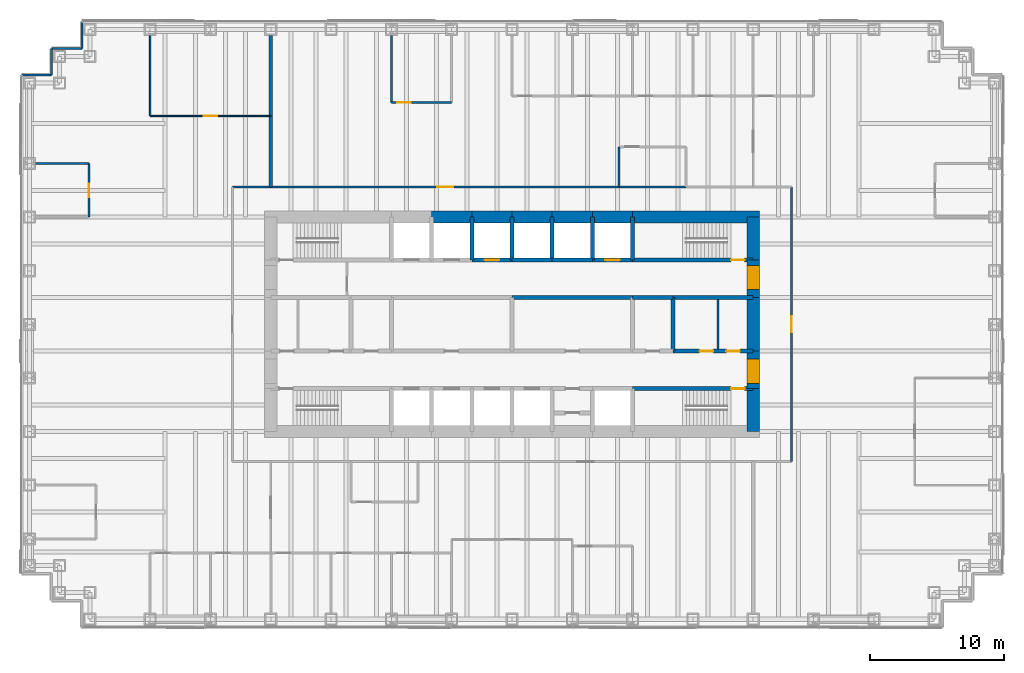
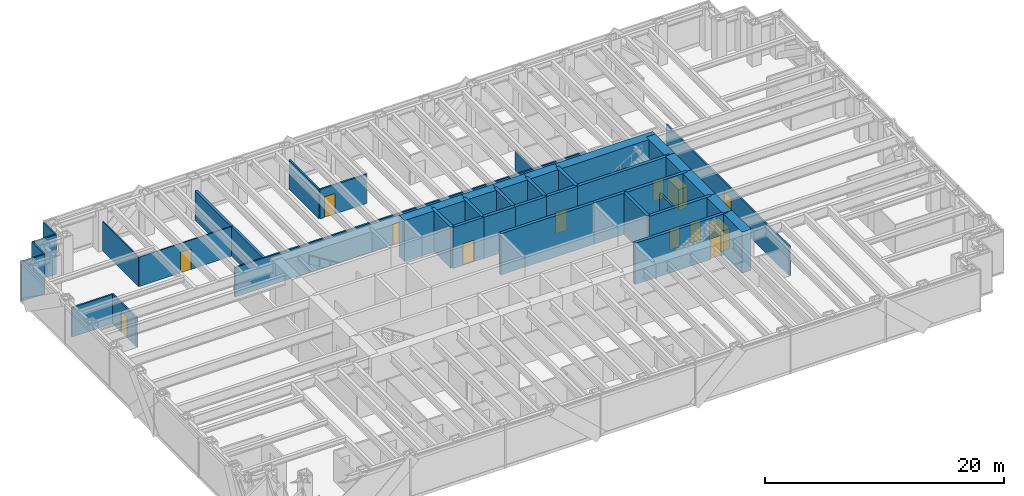
# One storey, part 15 of 17: 43 walls, 13 doors, 13 openings.
"""IFC4 building model written with IfcOpenShell, lengths in metres."""

import ifcopenshell
import ifcopenshell.guid

model = None  # the IFC model being written
_history = None  # IfcOwnerHistory: only IFC2X3 demands one
_inside = {}  # id of a spatial element -> (the spatial element, [elements in it])
_under = {}  # id of a project, library or spatial element -> (it, [spatial elements below it])
_declared = {}  # id of a project -> (the project, [libraries it declares])
_typed = {}  # id of a type object -> (the type object, [elements of that type])
_made_of = {}  # id of a material, layer set ... -> (it, [elements and type objects made of it])


def new_model(schema):
    """Start an empty IFC model of exactly this schema.

    Asked for "IFC4X3", IfcOpenShell would pick the latest addendum, in which some entities
    have other attributes; the version numbers below select the first issue.
    IFC2X3 requires an IfcOwnerHistory on every rooted entity: one is made here for all.
    """
    global model, _history
    if schema == "IFC4X3":
        model = ifcopenshell.file(schema_version=(4, 3, 0, 0))
    else:
        model = ifcopenshell.file(schema=schema)
    _inside.clear()
    _under.clear()
    _declared.clear()
    _typed.clear()
    _made_of.clear()
    _history = None
    if model.schema == "IFC2X3":
        org = make("IfcOrganization", Name="unknown")
        user = make(
            "IfcPersonAndOrganization",
            ThePerson=make("IfcPerson", FamilyName="unknown"),
            TheOrganization=org,
        )
        app = make(
            "IfcApplication",
            ApplicationDeveloper=org,
            Version="unknown",
            ApplicationFullName="unknown",
            ApplicationIdentifier="unknown",
        )
        _history = make(
            "IfcOwnerHistory",
            OwningUser=user,
            OwningApplication=app,
            ChangeAction="ADDED",
            CreationDate=0,
        )
    return model


def make(cls, **values):
    """One entity of the class cls with the attributes given. An attribute that is None is left unset."""
    return model.create_entity(
        cls, **{name: value for name, value in values.items() if value is not None}
    )


def rooted(cls, **values):
    """An entity with a GlobalId (a new one), such as an element, a storey or a relation."""
    return make(cls, GlobalId=ifcopenshell.guid.new(), OwnerHistory=_history, **values)


def si_unit(unit_type, name, prefix=None):
    """IfcSIUnit, for example si_unit("LENGTHUNIT", "METRE", prefix="MILLI")."""
    return make("IfcSIUnit", UnitType=unit_type, Prefix=prefix, Name=name)


def assignment(units):
    """IfcUnitAssignment: the units of a project."""
    return None if units is None else make("IfcUnitAssignment", Units=units)


def point(xyz):
    """IfcCartesianPoint."""
    return None if xyz is None else make("IfcCartesianPoint", Coordinates=xyz)


def direction(xyz):
    """IfcDirection."""
    return None if xyz is None else make("IfcDirection", DirectionRatios=xyz)


def frame(location, z_axis=None, x_axis=None):
    """IfcAxis2Placement3D, a coordinate frame: its origin and axes. An axis left out is left unset."""
    return make(
        "IfcAxis2Placement3D",
        Location=point(location),
        Axis=direction(z_axis),
        RefDirection=direction(x_axis),
    )


def frame_2d(location, x_axis=None):
    """IfcAxis2Placement2D, a coordinate frame in the plane: its origin and x axis."""
    return make(
        "IfcAxis2Placement2D", Location=point(location), RefDirection=direction(x_axis)
    )


def origin():
    """The frame at (0, 0, 0) with its axes left unset."""
    return frame((0.0, 0.0, 0.0))


def place(relative_to, where):
    """IfcLocalPlacement: puts the frame where relative to a parent placement (None: the world)."""
    return make(
        "IfcLocalPlacement", PlacementRelTo=relative_to, RelativePlacement=where
    )


def context(
    kind, dimensions, precision=None, world=None, true_north=None, identifier=None
):
    """IfcGeometricRepresentationContext, for example the 3D "Model" context."""
    return make(
        "IfcGeometricRepresentationContext",
        ContextIdentifier=identifier,
        ContextType=kind,
        CoordinateSpaceDimension=dimensions,
        Precision=precision,
        WorldCoordinateSystem=world,
        TrueNorth=true_north,
    )


def subcontext(parent, identifier, kind, view, scale=None):
    """IfcGeometricRepresentationSubContext, for example "Body" below "Model"."""
    return make(
        "IfcGeometricRepresentationSubContext",
        ContextIdentifier=identifier,
        ContextType=kind,
        ParentContext=parent,
        TargetScale=scale,
        TargetView=view,
    )


def project(units=None, contexts=None):
    """IfcProject with its units and contexts."""
    return rooted(
        "IfcProject",
        Name="project",
        RepresentationContexts=contexts,
        UnitsInContext=assignment(units),
    )


def spatial(cls, under=None, at=None, **own):
    """A site, building, storey or space (cls), placed at a placement, below another one or the project."""
    s = rooted(cls, ObjectPlacement=at, **own)
    if under is not None:
        _under.setdefault(under.id(), (under, []))[1].append(s)
    return s


def profile(cls, at=None, kind="AREA", **sizes):
    """A parametric profile (cls). Its sizes go by their IFC names, for example OverallWidth=200.0."""
    return make(cls, ProfileType=kind, Position=at, **sizes)


def rectangle(**sizes):
    """IfcRectangleProfileDef."""
    return profile("IfcRectangleProfileDef", **sizes)


def extrude(swept, where, along, depth):
    """IfcExtrudedAreaSolid: the profile swept, set in the frame where, extruded along a direction by depth."""
    return make(
        "IfcExtrudedAreaSolid",
        SweptArea=swept,
        Position=where,
        ExtrudedDirection=direction(along),
        Depth=depth,
    )


def shape(context_of_items, identifier, shape_type, items):
    """IfcShapeRepresentation: the items that make up one representation, for example the "Body"."""
    return make(
        "IfcShapeRepresentation",
        ContextOfItems=context_of_items,
        RepresentationIdentifier=identifier,
        RepresentationType=shape_type,
        Items=items,
    )


def material(Name=None, Category=None):
    """IfcMaterial."""
    return make("IfcMaterial", Name=Name, Category=Category)


def layer(
    of_material, thickness, ventilated=None, Name=None, Category=None, Priority=None
):
    """IfcMaterialLayer: one layer of a wall or slab, of a material (None: an air gap)."""
    return make(
        "IfcMaterialLayer",
        Material=of_material,
        LayerThickness=thickness,
        IsVentilated=ventilated,
        Name=Name,
        Category=Category,
        Priority=Priority,
    )


def layer_set(layers, Name=None):
    """IfcMaterialLayerSet."""
    return make("IfcMaterialLayerSet", MaterialLayers=layers, LayerSetName=Name)


def made_of(thing, what):
    """Note that an element or type object is made of a material, layer set ...; save() writes the relation."""
    if what is not None:
        _made_of.setdefault(what.id(), (what, []))[1].append(thing)
    return thing


def type_object(cls, material=None, **own):
    """A type object (cls), such as IfcWallType, which elements share."""
    return made_of(rooted(cls, **own), material)


def element(
    cls,
    number,
    at=None,
    inside=None,
    cuts=None,
    type_object=None,
    material=None,
    context=None,
    identifier="Body",
    shape_type=None,
    held_by="IfcProductDefinitionShape",
    body=None,
    shapes=None,
    **own,
):
    """One element of the class cls, such as IfcWall. Its Tag is "e" and its number.

    at: its placement. inside: the storey or other place that contains it. cuts: it is an
    opening in that element (IfcRelVoidsElement). A single representation is given by context,
    identifier, shape_type and body (its items); several are given by shapes. held_by: the class
    of the entity that holds the representations. save() writes the other relations.
    """
    e = rooted(cls, Tag="e%d" % number, ObjectPlacement=at, **own)
    if body is not None:
        shapes = [shape(context, identifier, shape_type, body)]
    if shapes is not None:
        e.Representation = make(held_by, Representations=shapes)
    if inside is not None:
        _inside.setdefault(inside.id(), (inside, []))[1].append(e)
    if cuts is not None:
        rooted(
            "IfcRelVoidsElement", RelatingBuildingElement=cuts, RelatedOpeningElement=e
        )
    if type_object is not None:
        _typed.setdefault(type_object.id(), (type_object, []))[1].append(e)
    return made_of(e, material)


def fill(opening, filler):
    """IfcRelFillsElement: the door or window that sits in an opening."""
    return rooted(
        "IfcRelFillsElement",
        RelatingOpeningElement=opening,
        RelatedBuildingElement=filler,
    )


def aggregate(whole, parts):
    """IfcRelAggregates: a whole, such as a stair, and the parts it consists of."""
    return rooted("IfcRelAggregates", RelatingObject=whole, RelatedObjects=parts)


def save(model, path):
    """Write the relations noted so far, then the file.

    IfcRelAggregates (storeys below a building ...), IfcRelContainedInSpatialStructure (elements
    in a storey), IfcRelDefinesByType, IfcRelAssociatesMaterial and IfcRelDeclares: one each for
    every whole, place, type object, material and project.
    """
    for whole, parts in _under.values():
        aggregate(whole, parts)
    for where, things in _inside.values():
        rooted(
            "IfcRelContainedInSpatialStructure",
            RelatedElements=things,
            RelatingStructure=where,
        )
    for kind, things in _typed.values():
        rooted("IfcRelDefinesByType", RelatedObjects=things, RelatingType=kind)
    for what, things in _made_of.values():
        rooted("IfcRelAssociatesMaterial", RelatedObjects=things, RelatingMaterial=what)
    for by, libraries in _declared.values():
        rooted("IfcRelDeclares", RelatingContext=by, RelatedDefinitions=libraries)
    model.write(path)


model = new_model("IFC4")

# Units and contexts
model_context = context("Model", 3, precision=1e-05, world=origin(), true_north=direction((0.0, 1.0)))
body_context = subcontext(model_context, "Body", "Model", "MODEL_VIEW")
ifc_project = project(units=[si_unit("LENGTHUNIT", "METRE"), si_unit("AREAUNIT", "SQUARE_METRE"), si_unit("VOLUMEUNIT", "CUBIC_METRE"), si_unit("PLANEANGLEUNIT", "RADIAN"), si_unit("MASSUNIT", "GRAM", prefix="KILO")], contexts=[model_context])

# Site, building, storey
site_placement = place(None, origin())
site = spatial("IfcSite", under=ifc_project, at=site_placement, CompositionType="ELEMENT")
building_placement = place(site_placement, origin())
building = spatial("IfcBuilding", under=site, at=building_placement, Name="Rheinbord Bourse Tower", CompositionType="ELEMENT")
storey_placement = place(building_placement, frame((0.0, 0.0, 159.300048828125)))
storey = spatial("IfcBuildingStorey", under=building, at=storey_placement, Name="L35", CompositionType="ELEMENT", Elevation=159.300048828125)

# Wall, opening, door
ifc_material_1 = material(Name="Concrete C50/60", Category="concrete")
ifc_layer_1 = layer(ifc_material_1, 0.300048828125)
ifc_layer_set_1 = layer_set([ifc_layer_1], Name="CORE INNER WALL 300")
wall_type_1 = type_object("IfcWallType", Name="CORE INNER WALL 300", PredefinedType="SOLIDWALL", material=ifc_layer_set_1)
wall_1_placement = place(storey_placement, frame((45.0, 19.199951171875, 0.0), z_axis=(0.0, 0.0, 1.0), x_axis=(1.0, 0.0, 0.0)))
wall_1 = element("IfcWall", 1, at=wall_1_placement, inside=storey, type_object=wall_type_1, Name="Core wall A8 L35", PredefinedType="SOLIDWALL", context=body_context, shape_type="SweptSolid", body=[
    extrude(rectangle(XDim=9.0, YDim=0.300048828125, at=frame_2d((4.5, 0.0))), origin(), (0.0, 0.0, 1.0), 4.199951171875),
])
opening_1_placement = place(wall_1_placement, frame((7.35009765625, 0.0, 0.0)))
opening_1 = element("IfcOpeningElement", 2, at=opening_1_placement, cuts=wall_1, Name="Opening 3530", PredefinedType="OPENING", context=body_context, shape_type="SweptSolid", body=[
    extrude(rectangle(XDim=1.0, YDim=2.10009765625, at=frame_2d((0.5, 1.050048828125))), frame((0.0, 0.159912109375, 0.0), z_axis=(0.0, -1.0, 0.0), x_axis=(1.0, 0.0, 0.0)), (0.0, 0.0, 1.0), 0.320068359375),
])
ifc_material_2 = material(Name="Steel door", Category="steel")
door_type_1 = type_object("IfcDoorType", Name="DOOR 1000 EI30", OperationType="SINGLE_SWING_LEFT", PredefinedType="DOOR", material=ifc_material_2)
door_1_placement = place(opening_1_placement, origin())
door_1 = element("IfcDoor", 3, at=door_1_placement, inside=storey, type_object=door_type_1, Name="Stair door ST3 L35", OperationType="SINGLE_SWING_RIGHT", OverallHeight=2.10009765625, OverallWidth=1.0, PredefinedType="DOOR", context=body_context, shape_type="SweptSolid", body=[
    extrude(rectangle(XDim=1.0, YDim=2.10009765625, at=frame_2d((0.5, 1.050048828125))), frame((0.0, 0.02490234375, 0.0), z_axis=(0.0, -1.0, 0.0), x_axis=(1.0, 0.0, 0.0)), (0.0, 0.0, 1.0), 0.050048828125),
])
fill(opening_1, door_1)

wall_2_placement = place(storey_placement, frame((33.0, 28.800048828125, 0.0), z_axis=(0.0, 0.0, 1.0), x_axis=(1.0, 0.0, 0.0)))
wall_2 = element("IfcWall", 4, at=wall_2_placement, inside=storey, type_object=wall_type_1, Name="Core wall B4 L35", PredefinedType="SOLIDWALL", context=body_context, shape_type="SweptSolid", body=[
    extrude(rectangle(XDim=3.0, YDim=0.300048828125, at=frame_2d((1.5, 0.0))), origin(), (0.0, 0.0, 1.0), 4.199951171875),
])
opening_2_placement = place(wall_2_placement, frame((0.949951171875, 0.0, 0.0)))
opening_2 = element("IfcOpeningElement", 5, at=opening_2_placement, cuts=wall_2, Name="Opening PB5", PredefinedType="OPENING", context=body_context, shape_type="SweptSolid", body=[
    extrude(rectangle(XDim=1.10009765625, YDim=2.199951171875, at=frame_2d((0.550048828125, 1.10009765625))), frame((0.0, 0.159912109375, 0.0), z_axis=(0.0, -1.0, 0.0), x_axis=(1.0, 0.0, 0.0)), (0.0, 0.0, 1.0), 0.320068359375),
])
ifc_material_3 = material(Name="Steel landing door", Category="steel")
door_type_2 = type_object("IfcDoorType", Name="LIFT LANDING DOOR 1100", OperationType="DOUBLE_DOOR_SLIDING", PredefinedType="USERDEFINED", material=ifc_material_3)
door_2_placement = place(opening_2_placement, origin())
door_2 = element("IfcDoor", 6, at=door_2_placement, inside=storey, type_object=door_type_2, Name="Lift landing door PB5 L35", ObjectType="LIFT LANDING DOOR", OperationType="DOUBLE_DOOR_SLIDING", OverallHeight=2.199951171875, OverallWidth=1.10009765625, PredefinedType="USERDEFINED", context=body_context, shape_type="SweptSolid", body=[
    extrude(rectangle(XDim=1.10009765625, YDim=2.199951171875, at=frame_2d((0.550048828125, 1.10009765625))), frame((0.0, 0.02490234375, 0.0), z_axis=(0.0, -1.0, 0.0), x_axis=(1.0, 0.0, 0.0)), (0.0, 0.0, 1.0), 0.050048828125),
])
fill(opening_2, door_2)

# Walls
for number, where, z_axis, x_axis, name in (
    (7, (36.0, 28.800048828125, 0.0), (0.0, 0.0, 1.0), (1.0, 0.0, 0.0), "Core wall B5 L35"),
    (8, (39.0, 28.800048828125, 0.0), (0.0, 0.0, 1.0), (1.0, 0.0, 0.0), "Core wall B6 L35"),
):
    element("IfcWall", number, at=place(storey_placement, frame(where, z_axis=z_axis, x_axis=x_axis)), inside=storey, type_object=wall_type_1, Name=name, PredefinedType="SOLIDWALL", context=body_context, shape_type="SweptSolid", body=[
        extrude(rectangle(XDim=3.0, YDim=0.300048828125, at=frame_2d((1.5, 0.0))), origin(), (0.0, 0.0, 1.0), 4.199951171875),
    ])

# Wall, opening, door
wall_3_placement = place(storey_placement, frame((42.0, 28.800048828125, 0.0), z_axis=(0.0, 0.0, 1.0), x_axis=(1.0, 0.0, 0.0)))
wall_3 = element("IfcWall", 9, at=wall_3_placement, inside=storey, type_object=wall_type_1, Name="Core wall B7 L35", PredefinedType="SOLIDWALL", context=body_context, shape_type="SweptSolid", body=[
    extrude(rectangle(XDim=3.0, YDim=0.300048828125, at=frame_2d((1.5, 0.0))), origin(), (0.0, 0.0, 1.0), 4.199951171875),
])
opening_3_placement = place(wall_3_placement, frame((0.949951171875, 0.0, 0.0)))
opening_3 = element("IfcOpeningElement", 10, at=opening_3_placement, cuts=wall_3, Name="Opening FL2", PredefinedType="OPENING", context=body_context, shape_type="SweptSolid", body=[
    extrude(rectangle(XDim=1.10009765625, YDim=2.199951171875, at=frame_2d((0.550048828125, 1.10009765625))), frame((0.0, 0.159912109375, 0.0), z_axis=(0.0, -1.0, 0.0), x_axis=(1.0, 0.0, 0.0)), (0.0, 0.0, 1.0), 0.320068359375),
])
door_3_placement = place(opening_3_placement, origin())
door_3 = element("IfcDoor", 11, at=door_3_placement, inside=storey, type_object=door_type_2, Name="Lift landing door FL2 L35", ObjectType="LIFT LANDING DOOR", OperationType="DOUBLE_DOOR_SLIDING", OverallHeight=2.199951171875, OverallWidth=1.10009765625, PredefinedType="USERDEFINED", context=body_context, shape_type="SweptSolid", body=[
    extrude(rectangle(XDim=1.10009765625, YDim=2.199951171875, at=frame_2d((0.550048828125, 1.10009765625))), frame((0.0, 0.02490234375, 0.0), z_axis=(0.0, -1.0, 0.0), x_axis=(1.0, 0.0, 0.0)), (0.0, 0.0, 1.0), 0.050048828125),
])
fill(opening_3, door_3)

wall_4_placement = place(storey_placement, frame((45.0, 28.800048828125, 0.0), z_axis=(0.0, 0.0, 1.0), x_axis=(1.0, 0.0, 0.0)))
wall_4 = element("IfcWall", 12, at=wall_4_placement, inside=storey, type_object=wall_type_1, Name="Core wall B8 L35", PredefinedType="SOLIDWALL", context=body_context, shape_type="SweptSolid", body=[
    extrude(rectangle(XDim=9.0, YDim=0.300048828125, at=frame_2d((4.5, 0.0))), origin(), (0.0, 0.0, 1.0), 4.199951171875),
])
opening_4_placement = place(wall_4_placement, frame((7.35009765625, 0.0, 0.0)))
opening_4 = element("IfcOpeningElement", 13, at=opening_4_placement, cuts=wall_4, Name="Opening 3540", PredefinedType="OPENING", context=body_context, shape_type="SweptSolid", body=[
    extrude(rectangle(XDim=1.0, YDim=2.10009765625, at=frame_2d((0.5, 1.050048828125))), frame((0.0, 0.159912109375, 0.0), z_axis=(0.0, -1.0, 0.0), x_axis=(1.0, 0.0, 0.0)), (0.0, 0.0, 1.0), 0.320068359375),
])
door_4_placement = place(opening_4_placement, origin())
door_4 = element("IfcDoor", 14, at=door_4_placement, inside=storey, type_object=door_type_1, Name="Stair door ST4 L35", OperationType="SINGLE_SWING_RIGHT", OverallHeight=2.10009765625, OverallWidth=1.0, PredefinedType="DOOR", context=body_context, shape_type="SweptSolid", body=[
    extrude(rectangle(XDim=1.0, YDim=2.10009765625, at=frame_2d((0.5, 1.050048828125))), frame((0.0, 0.02490234375, 0.0), z_axis=(0.0, -1.0, 0.0), x_axis=(1.0, 0.0, 0.0)), (0.0, 0.0, 1.0), 0.050048828125),
])
fill(opening_4, door_4)

# Wall, openings, doors
wall_5_placement = place(storey_placement, frame((48.0, 22.0, 0.0), z_axis=(0.0, 0.0, 1.0), x_axis=(1.0, 0.0, 0.0)))
wall_5 = element("IfcWall", 15, at=wall_5_placement, inside=storey, type_object=wall_type_1, Name="Core wall C6 L35", PredefinedType="SOLIDWALL", context=body_context, shape_type="SweptSolid", body=[
    extrude(rectangle(XDim=6.0, YDim=0.300048828125, at=frame_2d((3.0, 0.0))), origin(), (0.0, 0.0, 1.0), 4.199951171875),
])
opening_5_placement = place(wall_5_placement, frame((2.0, 0.0, 0.0)))
opening_5 = element("IfcOpeningElement", 16, at=opening_5_placement, cuts=wall_5, Name="Opening 35R6", PredefinedType="OPENING", context=body_context, shape_type="SweptSolid", body=[
    extrude(rectangle(XDim=1.0, YDim=2.10009765625, at=frame_2d((0.5, 1.050048828125))), frame((0.0, 0.159912109375, 0.0), z_axis=(0.0, -1.0, 0.0), x_axis=(1.0, 0.0, 0.0)), (0.0, 0.0, 1.0), 0.320068359375),
])
opening_6_placement = place(wall_5_placement, frame((4.0, 0.0, 0.0)))
opening_6 = element("IfcOpeningElement", 17, at=opening_6_placement, cuts=wall_5, Name="Opening 35R10", PredefinedType="OPENING", context=body_context, shape_type="SweptSolid", body=[
    extrude(rectangle(XDim=1.0, YDim=2.10009765625, at=frame_2d((0.5, 1.050048828125))), frame((0.0, 0.159912109375, 0.0), z_axis=(0.0, -1.0, 0.0), x_axis=(1.0, 0.0, 0.0)), (0.0, 0.0, 1.0), 0.320068359375),
])
door_5_placement = place(opening_6_placement, origin())
door_5 = element("IfcDoor", 18, at=door_5_placement, inside=storey, type_object=door_type_1, Name="Cleaner's store door L35", OperationType="SINGLE_SWING_RIGHT", OverallHeight=2.10009765625, OverallWidth=1.0, PredefinedType="DOOR", context=body_context, shape_type="SweptSolid", body=[
    extrude(rectangle(XDim=1.0, YDim=2.10009765625, at=frame_2d((0.5, 1.050048828125))), frame((0.0, 0.02490234375, 0.0), z_axis=(0.0, -1.0, 0.0), x_axis=(1.0, 0.0, 0.0)), (0.0, 0.0, 1.0), 0.050048828125),
])
fill(opening_6, door_5)
ifc_material_4 = material(Name="Timber door", Category="wood")
door_type_3 = type_object("IfcDoorType", Name="DOOR 1000 WC", OperationType="SINGLE_SWING_LEFT", PredefinedType="DOOR", material=ifc_material_4)
door_6_placement = place(opening_5_placement, origin())
door_6 = element("IfcDoor", 19, at=door_6_placement, inside=storey, type_object=door_type_3, Name="WC women door L35", OperationType="SINGLE_SWING_LEFT", OverallHeight=2.10009765625, OverallWidth=1.0, PredefinedType="DOOR", context=body_context, shape_type="SweptSolid", body=[
    extrude(rectangle(XDim=1.0, YDim=2.10009765625, at=frame_2d((0.5, 1.050048828125))), frame((0.0, 0.02490234375, 0.0), z_axis=(0.0, -1.0, 0.0), x_axis=(1.0, 0.0, 0.0)), (0.0, 0.0, 1.0), 0.050048828125),
])
fill(opening_5, door_6)

# Walls
wall_6_placement = place(storey_placement, frame((36.0, 26.0, 0.0), z_axis=(0.0, 0.0, 1.0), x_axis=(1.0, 0.0, 0.0)))
element("IfcWall", 20, at=wall_6_placement, inside=storey, type_object=wall_type_1, Name="Core wall D4 L35", PredefinedType="SOLIDWALL", context=body_context, shape_type="SweptSolid", body=[
    extrude(rectangle(XDim=9.0, YDim=0.300048828125, at=frame_2d((4.5, 0.0))), origin(), (0.0, 0.0, 1.0), 4.199951171875),
])
wall_7_placement = place(storey_placement, frame((45.0, 26.0, 0.0), z_axis=(0.0, 0.0, 1.0), x_axis=(1.0, 0.0, 0.0)))
element("IfcWall", 21, at=wall_7_placement, inside=storey, type_object=wall_type_1, Name="Core wall D5 L35", PredefinedType="SOLIDWALL", context=body_context, shape_type="SweptSolid", body=[
    extrude(rectangle(XDim=3.0, YDim=0.300048828125, at=frame_2d((1.5, 0.0))), origin(), (0.0, 0.0, 1.0), 4.199951171875),
])
wall_8_placement = place(storey_placement, frame((48.0, 26.0, 0.0), z_axis=(0.0, 0.0, 1.0), x_axis=(1.0, 0.0, 0.0)))
element("IfcWall", 22, at=wall_8_placement, inside=storey, type_object=wall_type_1, Name="Core wall D6 L35", PredefinedType="SOLIDWALL", context=body_context, shape_type="SweptSolid", body=[
    extrude(rectangle(XDim=6.0, YDim=0.300048828125, at=frame_2d((3.0, 0.0))), origin(), (0.0, 0.0, 1.0), 4.199951171875),
])
for number, where, z_axis, x_axis, name in (
    (23, (33.0, 28.800048828125, 0.0), (0.0, 0.0, 1.0), (0.0, 1.0, 0.0), "Core wall NX33 L35"),
    (24, (36.0, 28.800048828125, 0.0), (0.0, 0.0, 1.0), (0.0, 1.0, 0.0), "Core wall NX36 L35"),
    (25, (39.0, 28.800048828125, 0.0), (0.0, 0.0, 1.0), (0.0, 1.0, 0.0), "Core wall NX39 L35"),
    (26, (42.0, 28.800048828125, 0.0), (0.0, 0.0, 1.0), (0.0, 1.0, 0.0), "Core wall NX42 L35"),
    (27, (45.0, 28.800048828125, 0.0), (0.0, 0.0, 1.0), (0.0, 1.0, 0.0), "Core wall NX45 L35"),
):
    element("IfcWall", number, at=place(storey_placement, frame(where, z_axis=z_axis, x_axis=x_axis)), inside=storey, type_object=wall_type_1, Name=name, PredefinedType="SOLIDWALL", context=body_context, shape_type="SweptSolid", body=[
        extrude(rectangle(XDim=3.199951171875, YDim=0.300048828125, at=frame_2d((1.60009765625, 0.0))), origin(), (0.0, 0.0, 1.0), 4.199951171875),
    ])
wall_9_placement = place(storey_placement, frame((48.0, 22.0, 0.0), z_axis=(0.0, 0.0, 1.0), x_axis=(0.0, 1.0, 0.0)))
element("IfcWall", 28, at=wall_9_placement, inside=storey, type_object=wall_type_1, Name="Core wall MX48 L35", PredefinedType="SOLIDWALL", context=body_context, shape_type="SweptSolid", body=[
    extrude(rectangle(XDim=4.0, YDim=0.300048828125, at=frame_2d((2.0, 0.0))), origin(), (0.0, 0.0, 1.0), 4.199951171875),
])
ifc_material_5 = material(Name="Gypsum board fire partition", Category="gypsum board")
ifc_layer_2 = layer(ifc_material_5, 0.14990234375)
ifc_layer_set_2 = layer_set([ifc_layer_2], Name="CORE PARTITION 150 EI30")
wall_type_2 = type_object("IfcWallType", Name="CORE PARTITION 150 EI30", PredefinedType="PARTITIONING", material=ifc_layer_set_2)
wall_10_placement = place(storey_placement, frame((51.375, 22.14990234375, 0.0), z_axis=(0.0, 0.0, 1.0), x_axis=(0.0, 1.0, 0.0)))
element("IfcWall", 29, at=wall_10_placement, inside=storey, type_object=wall_type_2, Name="Core partition L35-3", PredefinedType="PARTITIONING", context=body_context, shape_type="SweptSolid", body=[
    extrude(rectangle(XDim=3.7001953125, YDim=0.14990234375, at=frame_2d((1.85009765625, 0.0))), origin(), (0.0, 0.0, 1.0), 3.0),
])
ifc_material_6 = material(Name="Concrete C50/60", Category="concrete")
ifc_layer_3 = layer(ifc_material_6, 0.89990234375)
ifc_layer_set_3 = layer_set([ifc_layer_3], Name="CORE WALL 900")
wall_type_3 = type_object("IfcWallType", Name="CORE WALL 900", PredefinedType="SHEAR", material=ifc_layer_set_3)
wall_11_placement = place(storey_placement, frame((54.449951171875, 32.0, 0.0), z_axis=(0.0, 0.0, 1.0), x_axis=(-1.0, 0.0, 0.0)))
element("IfcWall", 30, at=wall_11_placement, inside=storey, type_object=wall_type_3, Name="Core wall N1 L35", PredefinedType="SHEAR", context=body_context, shape_type="SweptSolid", body=[
    extrude(rectangle(XDim=9.449951171875, YDim=0.89990234375, at=frame_2d((4.72509765625, 0.0))), origin(), (0.0, 0.0, 1.0), 4.199951171875),
])
for number, where, z_axis, x_axis, name in (
    (31, (45.0, 32.0, 0.0), (0.0, 0.0, 1.0), (-1.0, 0.0, 0.0), "Core wall N2 L35"),
    (32, (42.0, 32.0, 0.0), (0.0, 0.0, 1.0), (-1.0, 0.0, 0.0), "Core wall N3 L35"),
    (33, (39.0, 32.0, 0.0), (0.0, 0.0, 1.0), (-1.0, 0.0, 0.0), "Core wall N4 L35"),
    (34, (36.0, 32.0, 0.0), (0.0, 0.0, 1.0), (-1.0, 0.0, 0.0), "Core wall N5 L35"),
    (35, (33.0, 32.0, 0.0), (0.0, 0.0, 1.0), (-1.0, 0.0, 0.0), "Core wall N6 L35"),
):
    element("IfcWall", number, at=place(storey_placement, frame(where, z_axis=z_axis, x_axis=x_axis)), inside=storey, type_object=wall_type_3, Name=name, PredefinedType="SHEAR", context=body_context, shape_type="SweptSolid", body=[
        extrude(rectangle(XDim=3.0, YDim=0.89990234375, at=frame_2d((1.5, 0.0))), origin(), (0.0, 0.0, 1.0), 4.199951171875),
    ])
wall_12_placement = place(storey_placement, frame((54.0, 16.0, 0.0), z_axis=(0.0, 0.0, 1.0), x_axis=(0.0, 1.0, 0.0)))
element("IfcWall", 36, at=wall_12_placement, inside=storey, type_object=wall_type_3, Name="Core wall E1 L35", PredefinedType="SHEAR", context=body_context, shape_type="SweptSolid", body=[
    extrude(rectangle(XDim=3.199951171875, YDim=0.89990234375, at=frame_2d((1.60009765625, 0.0))), origin(), (0.0, 0.0, 1.0), 4.199951171875),
])

# Wall, opening, door
wall_13_placement = place(storey_placement, frame((54.0, 19.199951171875, 0.0), z_axis=(0.0, 0.0, 1.0), x_axis=(0.0, 1.0, 0.0)))
wall_13 = element("IfcWall", 37, at=wall_13_placement, inside=storey, type_object=wall_type_3, Name="Core wall E2 L35", PredefinedType="SHEAR", context=body_context, shape_type="SweptSolid", body=[
    extrude(rectangle(XDim=2.800048828125, YDim=0.89990234375, at=frame_2d((1.39990234375, 0.0))), origin(), (0.0, 0.0, 1.0), 4.199951171875),
])
opening_7_placement = place(wall_13_placement, frame((0.39990234375, 0.0, 0.0)))
opening_7 = element("IfcOpeningElement", 38, at=opening_7_placement, cuts=wall_13, Name="Opening 35L3", PredefinedType="OPENING", context=body_context, shape_type="SweptSolid", body=[
    extrude(rectangle(XDim=1.800048828125, YDim=2.10009765625, at=frame_2d((0.89990234375, 1.050048828125))), frame((0.0, 0.4599609375, 0.0), z_axis=(0.0, -1.0, 0.0), x_axis=(1.0, 0.0, 0.0)), (0.0, 0.0, 1.0), 0.919921875),
])
ifc_material_7 = material(Name="Steel door", Category="steel")
door_type_4 = type_object("IfcDoorType", Name="DOOR 1800 EI30 DOUBLE", OperationType="DOUBLE_DOOR_DOUBLE_SWING", PredefinedType="DOOR", material=ifc_material_7)
door_7_placement = place(opening_7_placement, origin())
door_7 = element("IfcDoor", 39, at=door_7_placement, inside=storey, type_object=door_type_4, Name="Lobby door 3 L35", OperationType="SINGLE_SWING_LEFT", OverallHeight=2.10009765625, OverallWidth=1.800048828125, PredefinedType="DOOR", context=body_context, shape_type="SweptSolid", body=[
    extrude(rectangle(XDim=1.800048828125, YDim=2.10009765625, at=frame_2d((0.89990234375, 1.050048828125))), frame((0.0, 0.44970703125, 0.0), z_axis=(0.0, -1.0, 0.0), x_axis=(1.0, 0.0, 0.0)), (0.0, 0.0, 1.0), 0.8994140625),
])
fill(opening_7, door_7)

# Wall
wall_14_placement = place(storey_placement, frame((54.0, 22.0, 0.0), z_axis=(0.0, 0.0, 1.0), x_axis=(0.0, 1.0, 0.0)))
element("IfcWall", 40, at=wall_14_placement, inside=storey, type_object=wall_type_3, Name="Core wall E3 L35", PredefinedType="SHEAR", context=body_context, shape_type="SweptSolid", body=[
    extrude(rectangle(XDim=4.0, YDim=0.89990234375, at=frame_2d((2.0, 0.0))), origin(), (0.0, 0.0, 1.0), 4.199951171875),
])

# Wall, opening, door
wall_15_placement = place(storey_placement, frame((54.0, 26.0, 0.0), z_axis=(0.0, 0.0, 1.0), x_axis=(0.0, 1.0, 0.0)))
wall_15 = element("IfcWall", 41, at=wall_15_placement, inside=storey, type_object=wall_type_3, Name="Core wall E4 L35", PredefinedType="SHEAR", context=body_context, shape_type="SweptSolid", body=[
    extrude(rectangle(XDim=2.800048828125, YDim=0.89990234375, at=frame_2d((1.39990234375, 0.0))), origin(), (0.0, 0.0, 1.0), 4.199951171875),
])
opening_8_placement = place(wall_15_placement, frame((0.60009765625, 0.0, 0.0)))
opening_8 = element("IfcOpeningElement", 42, at=opening_8_placement, cuts=wall_15, Name="Opening 35L4", PredefinedType="OPENING", context=body_context, shape_type="SweptSolid", body=[
    extrude(rectangle(XDim=1.800048828125, YDim=2.10009765625, at=frame_2d((0.89990234375, 1.050048828125))), frame((0.0, 0.4599609375, 0.0), z_axis=(0.0, -1.0, 0.0), x_axis=(1.0, 0.0, 0.0)), (0.0, 0.0, 1.0), 0.919921875),
])
door_8_placement = place(opening_8_placement, origin())
door_8 = element("IfcDoor", 43, at=door_8_placement, inside=storey, type_object=door_type_4, Name="Lobby door 4 L35", OperationType="SINGLE_SWING_LEFT", OverallHeight=2.10009765625, OverallWidth=1.800048828125, PredefinedType="DOOR", context=body_context, shape_type="SweptSolid", body=[
    extrude(rectangle(XDim=1.800048828125, YDim=2.10009765625, at=frame_2d((0.89990234375, 1.050048828125))), frame((0.0, 0.44970703125, 0.0), z_axis=(0.0, -1.0, 0.0), x_axis=(1.0, 0.0, 0.0)), (0.0, 0.0, 1.0), 0.8994140625),
])
fill(opening_8, door_8)

# Walls
wall_16_placement = place(storey_placement, frame((54.0, 28.800048828125, 0.0), z_axis=(0.0, 0.0, 1.0), x_axis=(0.0, 1.0, 0.0)))
element("IfcWall", 44, at=wall_16_placement, inside=storey, type_object=wall_type_3, Name="Core wall E5 L35", PredefinedType="SHEAR", context=body_context, shape_type="SweptSolid", body=[
    extrude(rectangle(XDim=3.199951171875, YDim=0.89990234375, at=frame_2d((1.60009765625, 0.0))), origin(), (0.0, 0.0, 1.0), 4.199951171875),
])
ifc_material_8 = material(Name="Black metal rainscreen panel", Category="aluminium")
ifc_layer_4 = layer(ifc_material_8, 0.14990234375)
ifc_layer_set_4 = layer_set([ifc_layer_4], Name="CORNER PIER CLADDING 150")
wall_type_4 = type_object("IfcWallType", Name="CORNER PIER CLADDING 150", PredefinedType="ELEMENTEDWALL", material=ifc_layer_set_4)
wall_17_placement = place(storey_placement, frame((3.89990234375, 46.60009765625, 0.0), z_axis=(0.0, 0.0, 1.0), x_axis=(0.0, -1.0, 0.0)))
element("IfcWall", 45, at=wall_17_placement, inside=storey, type_object=wall_type_4, Name="Corner pier cladding L35 12", PredefinedType="ELEMENTEDWALL", context=body_context, shape_type="SweptSolid", body=[
    extrude(rectangle(XDim=2.0, YDim=0.14990234375, at=frame_2d((1.0, 0.0))), origin(), (0.0, 0.0, 1.0), 4.0400390625),
])
wall_18_placement = place(storey_placement, frame((3.89990234375, 44.60009765625, 0.0), z_axis=(0.0, 0.0, 1.0), x_axis=(-1.0, 0.0, 0.0)))
element("IfcWall", 46, at=wall_18_placement, inside=storey, type_object=wall_type_4, Name="Corner pier cladding L35 13", PredefinedType="ELEMENTEDWALL", context=body_context, shape_type="SweptSolid", body=[
    extrude(rectangle(XDim=2.25, YDim=0.14990234375, at=frame_2d((1.125, 0.0))), origin(), (0.0, 0.0, 1.0), 4.0400390625),
])
wall_19_placement = place(storey_placement, frame((1.64990234375, 44.60009765625, 0.0), z_axis=(0.0, 0.0, 1.0), x_axis=(0.0, -1.0, 0.0)))
element("IfcWall", 47, at=wall_19_placement, inside=storey, type_object=wall_type_4, Name="Corner pier cladding L35 14", PredefinedType="ELEMENTEDWALL", context=body_context, shape_type="SweptSolid", body=[
    extrude(rectangle(XDim=2.0, YDim=0.14990234375, at=frame_2d((1.0, 0.0))), origin(), (0.0, 0.0, 1.0), 4.0400390625),
])
wall_20_placement = place(storey_placement, frame((1.64990234375, 42.60009765625, 0.0), z_axis=(0.0, 0.0, 1.0), x_axis=(-1.0, 0.0, 0.0)))
element("IfcWall", 48, at=wall_20_placement, inside=storey, type_object=wall_type_4, Name="Corner pier cladding L35 15", PredefinedType="ELEMENTEDWALL", context=body_context, shape_type="SweptSolid", body=[
    extrude(rectangle(XDim=2.25, YDim=0.14990234375, at=frame_2d((1.125, 0.0))), origin(), (0.0, 0.0, 1.0), 4.0400390625),
])

# Wall, opening, door
ifc_material_9 = material(Name="Gypsum board corridor partition", Category="gypsum board")
ifc_layer_5 = layer(ifc_material_9, 0.14990234375)
ifc_layer_set_5 = layer_set([ifc_layer_5], Name="CORRIDOR PARTITION 150 EI30")
wall_type_5 = type_object("IfcWallType", Name="CORRIDOR PARTITION 150 EI30", PredefinedType="PARTITIONING", material=ifc_layer_set_5)
wall_21_placement = place(storey_placement, frame((15.14990234375, 34.25, 0.0), z_axis=(0.0, 0.0, 1.0), x_axis=(1.0, 0.0, 0.0)))
wall_21 = element("IfcWall", 49, at=wall_21_placement, inside=storey, type_object=wall_type_5, Name="Partition L35-14", PredefinedType="PARTITIONING", context=body_context, shape_type="SweptSolid", body=[
    extrude(rectangle(XDim=28.85009765625, YDim=0.14990234375, at=frame_2d((14.425048828125, 0.0))), origin(), (0.0, 0.0, 1.0), 3.0),
])
opening_9_placement = place(wall_21_placement, frame((15.262939453125, 0.0, 0.0)))
opening_9 = element("IfcOpeningElement", 50, at=opening_9_placement, cuts=wall_21, Name="Opening 35D26", PredefinedType="OPENING", context=body_context, shape_type="SweptSolid", body=[
    extrude(rectangle(XDim=1.199951171875, YDim=2.10009765625, at=frame_2d((0.60009765625, 1.050048828125))), frame((0.0, 0.0849609375, 0.0), z_axis=(0.0, -1.0, 0.0), x_axis=(1.0, 0.0, 0.0)), (0.0, 0.0, 1.0), 0.169921875),
])
ifc_material_10 = material(Name="Timber fire door", Category="wood")
door_type_5 = type_object("IfcDoorType", Name="SUITE ENTRANCE DOOR 1200 EI30", OperationType="SINGLE_SWING_LEFT", PredefinedType="DOOR", material=ifc_material_10)
door_9_placement = place(opening_9_placement, origin())
door_9 = element("IfcDoor", 51, at=door_9_placement, inside=storey, type_object=door_type_5, Name="Suite entrance 4 door L35", OperationType="SINGLE_SWING_RIGHT", OverallHeight=2.10009765625, OverallWidth=1.199951171875, PredefinedType="DOOR", context=body_context, shape_type="SweptSolid", body=[
    extrude(rectangle(XDim=1.199951171875, YDim=2.10009765625, at=frame_2d((0.60009765625, 1.050048828125))), frame((0.0, 0.02490234375, 0.0), z_axis=(0.0, -1.0, 0.0), x_axis=(1.0, 0.0, 0.0)), (0.0, 0.0, 1.0), 0.050048828125),
])
fill(opening_9, door_9)

wall_22_placement = place(storey_placement, frame((56.85009765625, 13.75, 0.0), z_axis=(0.0, 0.0, 1.0), x_axis=(0.0, 1.0, 0.0)))
wall_22 = element("IfcWall", 52, at=wall_22_placement, inside=storey, type_object=wall_type_5, Name="Partition L35-52", PredefinedType="PARTITIONING", context=body_context, shape_type="SweptSolid", body=[
    extrude(rectangle(XDim=20.5, YDim=0.14990234375, at=frame_2d((10.25, 0.0))), origin(), (0.0, 0.0, 1.0), 3.0),
])
opening_10_placement = place(wall_22_placement, frame((9.64990234375, 0.0, 0.0)))
opening_10 = element("IfcOpeningElement", 53, at=opening_10_placement, cuts=wall_22, Name="Opening 35D24", PredefinedType="OPENING", context=body_context, shape_type="SweptSolid", body=[
    extrude(rectangle(XDim=1.199951171875, YDim=2.10009765625, at=frame_2d((0.60009765625, 1.050048828125))), frame((0.0, 0.0849609375, 0.0), z_axis=(0.0, -1.0, 0.0), x_axis=(1.0, 0.0, 0.0)), (0.0, 0.0, 1.0), 0.169921875),
])
door_10_placement = place(opening_10_placement, origin())
door_10 = element("IfcDoor", 54, at=door_10_placement, inside=storey, type_object=door_type_5, Name="Suite entrance 2 door L35", OperationType="SINGLE_SWING_LEFT", OverallHeight=2.10009765625, OverallWidth=1.199951171875, PredefinedType="DOOR", context=body_context, shape_type="SweptSolid", body=[
    extrude(rectangle(XDim=1.199951171875, YDim=2.10009765625, at=frame_2d((0.60009765625, 1.050048828125))), frame((0.0, 0.02490234375, 0.0), z_axis=(0.0, -1.0, 0.0), x_axis=(1.0, 0.0, 0.0)), (0.0, 0.0, 1.0), 0.050048828125),
])
fill(opening_10, door_10)

# Walls
ifc_material_11 = material(Name="Gypsum board tenancy wall", Category="gypsum board")
ifc_layer_6 = layer(ifc_material_11, 0.25)
ifc_layer_set_6 = layer_set([ifc_layer_6], Name="DEMISING PARTITION 250 EI60")
wall_type_6 = type_object("IfcWallType", Name="DEMISING PARTITION 250 EI60", PredefinedType="PARTITIONING", material=ifc_layer_set_6)
wall_23_placement = place(storey_placement, frame((18.0, 34.25, 0.0), z_axis=(0.0, 0.0, 1.0), x_axis=(0.0, 1.0, 0.0)))
element("IfcWall", 55, at=wall_23_placement, inside=storey, type_object=wall_type_6, Name="Partition L35-31", PredefinedType="PARTITIONING", context=body_context, shape_type="SweptSolid", body=[
    extrude(rectangle(XDim=11.300048828125, YDim=0.25, at=frame_2d((5.64990234375, 0.0))), origin(), (0.0, 0.0, 1.0), 3.0),
])
ifc_material_12 = material(Name="Gypsum board fire partition", Category="gypsum board")
ifc_layer_7 = layer(ifc_material_12, 0.14990234375)
ifc_layer_set_7 = layer_set([ifc_layer_7], Name="FIRE PARTITION 150 EI60")
wall_type_7 = type_object("IfcWallType", Name="FIRE PARTITION 150 EI60", PredefinedType="PARTITIONING", material=ifc_layer_set_7)
wall_24_placement = place(storey_placement, frame((44.0, 34.25, 0.0), z_axis=(0.0, 0.0, 1.0), x_axis=(1.0, 0.0, 0.0)))
element("IfcWall", 56, at=wall_24_placement, inside=storey, type_object=wall_type_7, Name="Partition L35-15", PredefinedType="PARTITIONING", context=body_context, shape_type="SweptSolid", body=[
    extrude(rectangle(XDim=5.0, YDim=0.14990234375, at=frame_2d((2.5, 0.0))), origin(), (0.0, 0.0, 1.0), 3.0),
])
wall_25_placement = place(storey_placement, frame((44.0, 34.25, 0.0), z_axis=(0.0, 0.0, 1.0), x_axis=(0.0, 1.0, 0.0)))
element("IfcWall", 57, at=wall_25_placement, inside=storey, type_object=wall_type_7, Name="Partition L35-44", PredefinedType="PARTITIONING", context=body_context, shape_type="SweptSolid", body=[
    extrude(rectangle(XDim=3.0, YDim=0.14990234375, at=frame_2d((1.5, 0.0))), origin(), (0.0, 0.0, 1.0), 3.0),
])

# Wall, opening, door
ifc_material_13 = material(Name="Toughened laminated glass partition", Category="glass")
ifc_layer_8 = layer(ifc_material_13, 0.10009765625)
ifc_layer_set_8 = layer_set([ifc_layer_8], Name="GLAZED PARTITION 100")
wall_type_8 = type_object("IfcWallType", Name="GLAZED PARTITION 100", PredefinedType="PARTITIONING", material=ifc_layer_set_8)
wall_26_placement = place(storey_placement, frame((9.0, 39.550048828125, 0.0), z_axis=(0.0, 0.0, 1.0), x_axis=(1.0, 0.0, 0.0)))
wall_26 = element("IfcWall", 58, at=wall_26_placement, inside=storey, type_object=wall_type_8, Name="Partition L35-20", PredefinedType="PARTITIONING", context=body_context, shape_type="SweptSolid", body=[
    extrude(rectangle(XDim=9.0, YDim=0.10009765625, at=frame_2d((4.5, 0.0))), origin(), (0.0, 0.0, 1.0), 3.0),
])
opening_11_placement = place(wall_26_placement, frame((4.0, 0.0, 0.0)))
opening_11 = element("IfcOpeningElement", 59, at=opening_11_placement, cuts=wall_26, Name="Opening 35D14", PredefinedType="OPENING", context=body_context, shape_type="SweptSolid", body=[
    extrude(rectangle(XDim=1.0, YDim=2.10009765625, at=frame_2d((0.5, 1.050048828125))), frame((0.0, 0.06005859375, 0.0), z_axis=(0.0, -1.0, 0.0), x_axis=(1.0, 0.0, 0.0)), (0.0, 0.0, 1.0), 0.1201171875),
])
ifc_material_14 = material(Name="Timber door", Category="wood")
door_type_6 = type_object("IfcDoorType", Name="ROOM DOOR 1000", OperationType="SINGLE_SWING_LEFT", PredefinedType="DOOR", material=ifc_material_14)
door_11_placement = place(opening_11_placement, origin())
door_11 = element("IfcDoor", 60, at=door_11_placement, inside=storey, type_object=door_type_6, Name="Meeting room door L35", OperationType="SINGLE_SWING_LEFT", OverallHeight=2.10009765625, OverallWidth=1.0, PredefinedType="DOOR", context=body_context, shape_type="SweptSolid", body=[
    extrude(rectangle(XDim=1.0, YDim=2.10009765625, at=frame_2d((0.5, 1.050048828125))), frame((0.0, 0.02490234375, 0.0), z_axis=(0.0, -1.0, 0.0), x_axis=(1.0, 0.0, 0.0)), (0.0, 0.0, 1.0), 0.050048828125),
])
fill(opening_11, door_11)

# Walls
wall_27_placement = place(storey_placement, frame((9.0, 39.550048828125, 0.0), z_axis=(0.0, 0.0, 1.0), x_axis=(0.0, 1.0, 0.0)))
element("IfcWall", 61, at=wall_27_placement, inside=storey, type_object=wall_type_8, Name="Partition L35-26", PredefinedType="PARTITIONING", context=body_context, shape_type="SweptSolid", body=[
    extrude(rectangle(XDim=6.0, YDim=0.10009765625, at=frame_2d((3.0, 0.0))), origin(), (0.0, 0.0, 1.0), 3.0),
])
ifc_material_15 = material(Name="Gypsum board partition", Category="gypsum board")
ifc_layer_9 = layer(ifc_material_15, 0.14990234375)
ifc_layer_set_9 = layer_set([ifc_layer_9], Name="PARTITION 150")
wall_type_9 = type_object("IfcWallType", Name="PARTITION 150", PredefinedType="PARTITIONING", material=ifc_layer_set_9)
wall_28_placement = place(storey_placement, frame((0.449951171875, 36.0, 0.0), z_axis=(0.0, 0.0, 1.0), x_axis=(1.0, 0.0, 0.0)))
element("IfcWall", 62, at=wall_28_placement, inside=storey, type_object=wall_type_9, Name="Partition L35-17", PredefinedType="PARTITIONING", context=body_context, shape_type="SweptSolid", body=[
    extrude(rectangle(XDim=4.0, YDim=0.14990234375, at=frame_2d((2.0, 0.0))), origin(), (0.0, 0.0, 1.0), 3.0),
])

# Wall, opening, door
wall_29_placement = place(storey_placement, frame((27.0, 40.550048828125, 0.0), z_axis=(0.0, 0.0, 1.0), x_axis=(1.0, 0.0, 0.0)))
wall_29 = element("IfcWall", 63, at=wall_29_placement, inside=storey, type_object=wall_type_9, Name="Partition L35-21", PredefinedType="PARTITIONING", context=body_context, shape_type="SweptSolid", body=[
    extrude(rectangle(XDim=4.5, YDim=0.14990234375, at=frame_2d((2.25, 0.0))), origin(), (0.0, 0.0, 1.0), 3.0),
])
opening_12_placement = place(wall_29_placement, frame((0.449951171875, 0.0, 0.0)))
opening_12 = element("IfcOpeningElement", 64, at=opening_12_placement, cuts=wall_29, Name="Opening 35D15", PredefinedType="OPENING", context=body_context, shape_type="SweptSolid", body=[
    extrude(rectangle(XDim=1.0, YDim=2.10009765625, at=frame_2d((0.5, 1.050048828125))), frame((0.0, 0.0849609375, 0.0), z_axis=(0.0, -1.0, 0.0), x_axis=(1.0, 0.0, 0.0)), (0.0, 0.0, 1.0), 0.169921875),
])
door_12_placement = place(opening_12_placement, origin())
door_12 = element("IfcDoor", 65, at=door_12_placement, inside=storey, type_object=door_type_6, Name="Pantry door L35", OperationType="SINGLE_SWING_LEFT", OverallHeight=2.10009765625, OverallWidth=1.0, PredefinedType="DOOR", context=body_context, shape_type="SweptSolid", body=[
    extrude(rectangle(XDim=1.0, YDim=2.10009765625, at=frame_2d((0.5, 1.050048828125))), frame((0.0, 0.02490234375, 0.0), z_axis=(0.0, -1.0, 0.0), x_axis=(1.0, 0.0, 0.0)), (0.0, 0.0, 1.0), 0.050048828125),
])
fill(opening_12, door_12)

wall_30_placement = place(storey_placement, frame((4.449951171875, 32.0, 0.0), z_axis=(0.0, 0.0, 1.0), x_axis=(0.0, 1.0, 0.0)))
wall_30 = element("IfcWall", 66, at=wall_30_placement, inside=storey, type_object=wall_type_9, Name="Partition L35-23", PredefinedType="PARTITIONING", context=body_context, shape_type="SweptSolid", body=[
    extrude(rectangle(XDim=4.0, YDim=0.14990234375, at=frame_2d((2.0, 0.0))), origin(), (0.0, 0.0, 1.0), 3.0),
])
opening_13_placement = place(wall_30_placement, frame((1.5, 0.0, 0.0)))
opening_13 = element("IfcOpeningElement", 67, at=opening_13_placement, cuts=wall_30, Name="Opening 35D11", PredefinedType="OPENING", context=body_context, shape_type="SweptSolid", body=[
    extrude(rectangle(XDim=1.0, YDim=2.10009765625, at=frame_2d((0.5, 1.050048828125))), frame((0.0, 0.0849609375, 0.0), z_axis=(0.0, -1.0, 0.0), x_axis=(1.0, 0.0, 0.0)), (0.0, 0.0, 1.0), 0.169921875),
])
door_13_placement = place(opening_13_placement, origin())
door_13 = element("IfcDoor", 68, at=door_13_placement, inside=storey, type_object=door_type_6, Name="Print room door L35", OperationType="SINGLE_SWING_LEFT", OverallHeight=2.10009765625, OverallWidth=1.0, PredefinedType="DOOR", context=body_context, shape_type="SweptSolid", body=[
    extrude(rectangle(XDim=1.0, YDim=2.10009765625, at=frame_2d((0.5, 1.050048828125))), frame((0.0, 0.02490234375, 0.0), z_axis=(0.0, -1.0, 0.0), x_axis=(1.0, 0.0, 0.0)), (0.0, 0.0, 1.0), 0.050048828125),
])
fill(opening_13, door_13)

# Wall
wall_31_placement = place(storey_placement, frame((27.0, 40.550048828125, 0.0), z_axis=(0.0, 0.0, 1.0), x_axis=(0.0, 1.0, 0.0)))
element("IfcWall", 69, at=wall_31_placement, inside=storey, type_object=wall_type_9, Name="Partition L35-35", PredefinedType="PARTITIONING", context=body_context, shape_type="SweptSolid", body=[
    extrude(rectangle(XDim=5.0, YDim=0.14990234375, at=frame_2d((2.5, 0.0))), origin(), (0.0, 0.0, 1.0), 3.0),
])

save(model, "model.ifc")
